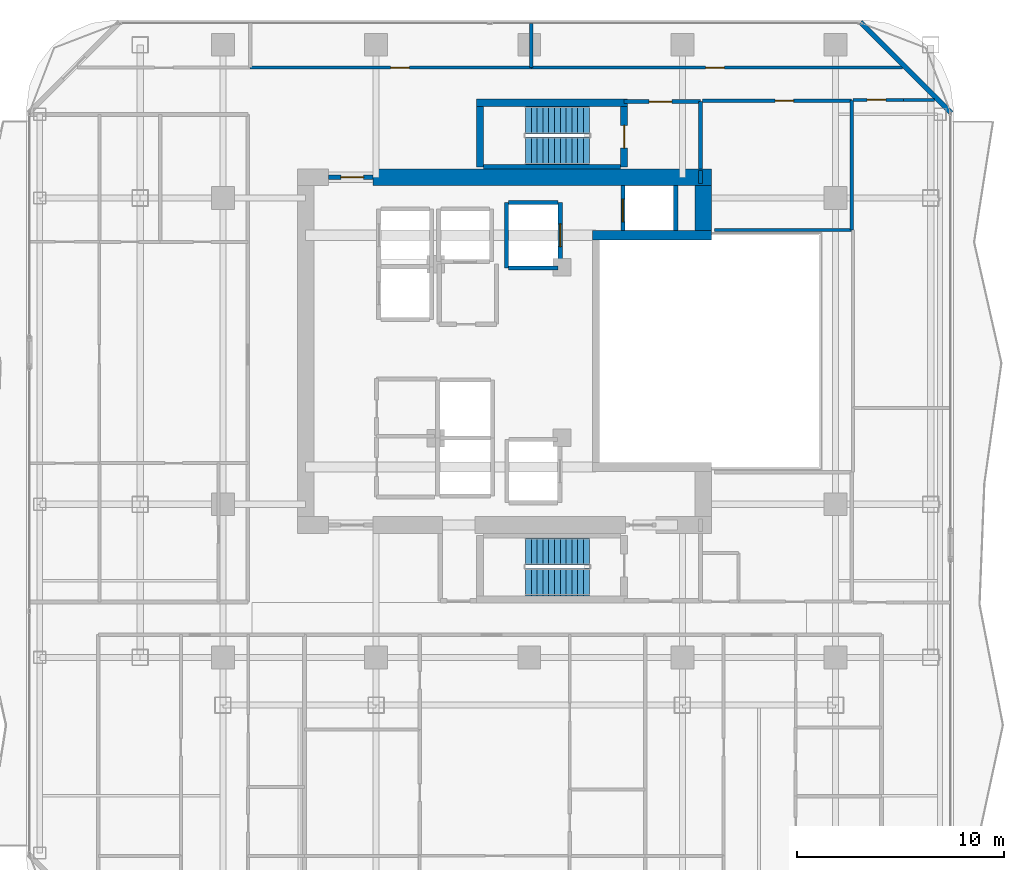
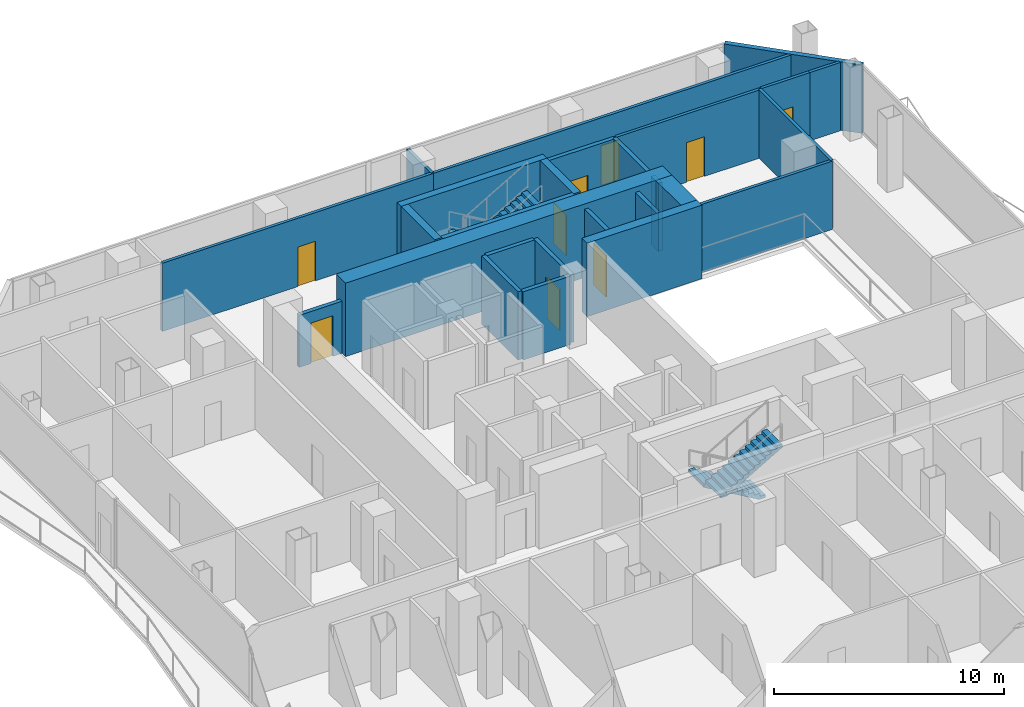
# One storey, part 20 of 23: 26 walls, 9 doors, 4 stair flights, 9 openings, 2 elements without a shape of their own.
"""IFC4 building model written with IfcOpenShell, lengths in metres."""

from ifc_helpers import new_model, si_unit, direction, frame, frame_2d, origin, place, context, subcontext, project, spatial, polyline, rectangle, outline, extrude, material, layer, layer_set, type_object, element, fill, aggregate, save


model = new_model("IFC4")

# Units and contexts
model_context = context("Model", 3, precision=1e-05, world=origin(), true_north=direction((0.0, 1.0)))
body_context = subcontext(model_context, "Body", "Model", "MODEL_VIEW")
ifc_project = project(units=[si_unit("LENGTHUNIT", "METRE"), si_unit("AREAUNIT", "SQUARE_METRE"), si_unit("VOLUMEUNIT", "CUBIC_METRE"), si_unit("PLANEANGLEUNIT", "RADIAN"), si_unit("MASSUNIT", "GRAM", prefix="KILO")], contexts=[model_context])

# Site, building, storey
site_placement = place(None, origin())
site = spatial("IfcSite", under=ifc_project, at=site_placement, CompositionType="ELEMENT")
building_placement = place(site_placement, origin())
building = spatial("IfcBuilding", under=site, at=building_placement, Name="Khorvyn Point Tower", CompositionType="ELEMENT")
storey_placement = place(building_placement, frame((0.0, 0.0, 207.0)))
storey = spatial("IfcBuildingStorey", under=building, at=storey_placement, Name="L51", CompositionType="ELEMENT", Elevation=207.0)

# Walls
ifc_material_1 = material(Name="Pale anodised aluminium rainscreen on steel stud", Category="steel")
ifc_layer_1 = layer(ifc_material_1, 0.239990234375)
ifc_layer_set_1 = layer_set([ifc_layer_1], Name="Anodised Aluminium Insulated Corner Spandrel Wall 240")
wall_type_1 = type_object("IfcWallType", Name="Anodised Aluminium Insulated Corner Spandrel Wall 240", PredefinedType="SOLIDWALL", material=ifc_layer_set_1)
wall_1_placement = place(storey_placement, frame((16.007568359375, 15.892333984375, 0.0), z_axis=(0.0, 0.0, 1.0), x_axis=(0.707106781187, -0.707106781187, 0.0)))
element("IfcWall", 1, at=wall_1_placement, inside=storey, type_object=wall_type_1, Name="L51 Rounded Corner Wall NE", PredefinedType="SOLIDWALL", context=body_context, shape_type="SweptSolid", body=[
    extrude(rectangle(XDim=6.200927734375, YDim=0.239990234375, at=frame_2d((3.1005859375, 0.0))), origin(), (0.0, 0.0, 1.0), 3.6201171875),
])
ifc_material_2 = material(Name="Concrete C40/50", Category="concrete")
ifc_layer_2 = layer(ifc_material_2, 0.449951171875)
ifc_layer_set_2 = layer_set([ifc_layer_2], Name="Concrete C40/50 Core Shear Wall 450")
wall_type_2 = type_object("IfcWallType", Name="Concrete C40/50 Core Shear Wall 450", PredefinedType="SHEAR", material=ifc_layer_set_2)
wall_2_placement = place(storey_placement, frame((3.044921875, 5.60009765625, 0.0), z_axis=(0.0, 0.0, 1.0), x_axis=(1.0, 0.0, 0.0)))
element("IfcWall", 2, at=wall_2_placement, inside=storey, type_object=wall_type_2, Name="Wall", PredefinedType="SHEAR", context=body_context, shape_type="SweptSolid", body=[
    extrude(rectangle(XDim=5.755126953125, YDim=0.449951171875, at=frame_2d((2.87744140625, 0.0))), origin(), (0.0, 0.0, 1.0), 3.89990234375),
])

# Wall, opening, door
ifc_layer_3 = layer(ifc_material_2, 0.199951171875)
ifc_layer_set_3 = layer_set([ifc_layer_3], Name="Concrete C40/50 Fire-Lobby Compartment Wall 200")
wall_type_3 = type_object("IfcWallType", Name="Concrete C40/50 Fire-Lobby Compartment Wall 200", PredefinedType="SOLIDWALL", material=ifc_layer_set_3)
wall_3_placement = place(storey_placement, frame((4.580078125, 12.06005859375, 0.0), z_axis=(0.0, 0.0, 1.0), x_axis=(1.0, 0.0, 0.0)))
wall_3 = element("IfcWall", 3, at=wall_3_placement, inside=storey, type_object=wall_type_3, Name="Wall", PredefinedType="SOLIDWALL", context=body_context, shape_type="SweptSolid", body=[
    extrude(rectangle(XDim=3.699951171875, YDim=0.199951171875, at=frame_2d((1.85009765625, 0.0))), origin(), (0.0, 0.0, 1.0), 3.6201171875),
])
opening_1_placement = place(wall_3_placement, frame((1.21240234375, 0.0, 0.0)))
opening_1 = element("IfcOpeningElement", 4, at=opening_1_placement, cuts=wall_3, Name="Opening ID-FL90", PredefinedType="OPENING", context=body_context, shape_type="SweptSolid", body=[
    extrude(rectangle(XDim=1.10009765625, YDim=2.14990234375, at=frame_2d((0.550048828125, 1.074951171875))), frame((0.0, 0.10986328125, 0.0), z_axis=(0.0, -1.0, 0.0), x_axis=(1.0, 0.0, 0.0)), (0.0, 0.0, 1.0), 0.219970703125),
])
ifc_material_3 = material(Name="Galvanised powder-coated steel", Category="steel")
door_type_1 = type_object("IfcDoorType", Name="Fire-Rated Steel Lobby and Stair Door 1100x2150", OperationType="NOTDEFINED", PredefinedType="DOOR", material=ifc_material_3)
door_1_placement = place(opening_1_placement, origin())
door_1 = element("IfcDoor", 5, at=door_1_placement, inside=storey, type_object=door_type_1, Name="Door", OperationType="SINGLE_SWING_LEFT", OverallHeight=2.14990234375, OverallWidth=1.10009765625, PredefinedType="DOOR", context=body_context, shape_type="SweptSolid", body=[
    extrude(rectangle(XDim=1.10009765625, YDim=2.14990234375, at=frame_2d((0.550048828125, 1.074951171875))), frame((0.0, 0.02490234375, 0.0), z_axis=(0.0, -1.0, 0.0), x_axis=(1.0, 0.0, 0.0)), (0.0, 0.0, 1.0), 0.050048828125),
])
fill(opening_1, door_1)

wall_4_placement = place(storey_placement, frame((-9.699951171875, 8.39990234375, 0.0), z_axis=(0.0, 0.0, 1.0), x_axis=(1.0, 0.0, 0.0)))
wall_4 = element("IfcWall", 6, at=wall_4_placement, inside=storey, type_object=wall_type_3, Name="Wall", PredefinedType="SOLIDWALL", context=body_context, shape_type="SweptSolid", body=[
    extrude(rectangle(XDim=2.14990234375, YDim=0.199951171875, at=frame_2d((1.074951171875, 0.0))), origin(), (0.0, 0.0, 1.0), 2.760009765625),
])
opening_2_placement = place(wall_4_placement, frame((0.597900390625, 0.0, 0.0)))
opening_2 = element("IfcOpeningElement", 7, at=opening_2_placement, cuts=wall_4, Name="Opening ID-FL90", PredefinedType="OPENING", context=body_context, shape_type="SweptSolid", body=[
    extrude(rectangle(XDim=1.10009765625, YDim=2.14990234375, at=frame_2d((0.550048828125, 1.074951171875))), frame((0.0, 0.10986328125, 0.0), z_axis=(0.0, -1.0, 0.0), x_axis=(1.0, 0.0, 0.0)), (0.0, 0.0, 1.0), 0.219970703125),
])
door_2_placement = place(opening_2_placement, origin())
door_2 = element("IfcDoor", 8, at=door_2_placement, inside=storey, type_object=door_type_1, Name="Door", OperationType="SINGLE_SWING_LEFT", OverallHeight=2.14990234375, OverallWidth=1.10009765625, PredefinedType="DOOR", context=body_context, shape_type="SweptSolid", body=[
    extrude(rectangle(XDim=1.10009765625, YDim=2.14990234375, at=frame_2d((0.550048828125, 1.074951171875))), frame((0.0, 0.02490234375, 0.0), z_axis=(0.0, -1.0, 0.0), x_axis=(1.0, 0.0, 0.0)), (0.0, 0.0, 1.0), 0.050048828125),
])
fill(opening_2, door_2)

# Walls
wall_5_placement = place(storey_placement, frame((8.280029296875, 8.800048828125, 0.0), z_axis=(0.0, 0.0, 1.0), x_axis=(0.0, 1.0, 0.0)))
element("IfcWall", 9, at=wall_5_placement, inside=storey, type_object=wall_type_3, Name="Wall", PredefinedType="SOLIDWALL", context=body_context, shape_type="SweptSolid", body=[
    extrude(rectangle(XDim=3.260009765625, YDim=0.199951171875, at=frame_2d((1.6298828125, 0.0))), origin(), (0.0, 0.0, 1.0), 3.6201171875),
])
wall_6_placement = place(storey_placement, frame((8.280029296875, 8.10009765625, 0.0), z_axis=(0.0, 0.0, 1.0), x_axis=(0.0, 1.0, 0.0)))
element("IfcWall", 10, at=wall_6_placement, inside=storey, type_object=wall_type_3, Name="Wall", PredefinedType="SOLIDWALL", context=body_context, shape_type="SweptSolid", body=[
    extrude(rectangle(XDim=0.625, YDim=0.199951171875, at=frame_2d((0.3125, 0.0))), origin(), (0.0, 0.0, 1.0), 3.6201171875),
])
ifc_layer_4 = layer(ifc_material_2, 0.25)
ifc_layer_set_4 = layer_set([ifc_layer_4], Name="Concrete C40/50 Stair Inner Cheek Structural Wall 250")
wall_type_4 = type_object("IfcWallType", Name="Concrete C40/50 Stair Inner Cheek Structural Wall 250", PredefinedType="SHEAR", material=ifc_layer_set_4)
wall_7_placement = place(storey_placement, frame((-2.199951171875, 8.91259765625, 0.0), z_axis=(0.0, 0.0, 1.0), x_axis=(1.0, 0.0, 0.0)))
element("IfcWall", 11, at=wall_7_placement, inside=storey, type_object=wall_type_4, Name="Wall", PredefinedType="SHEAR", context=body_context, shape_type="SweptSolid", body=[
    extrude(rectangle(XDim=6.599853515625, YDim=0.22509765625, at=frame_2d((3.2998046875, 0.0))), origin(), (0.0, 0.0, 1.0), 3.89990234375),
])
ifc_layer_5 = layer(ifc_material_2, 0.35009765625)
ifc_layer_set_5 = layer_set([ifc_layer_5], Name="Concrete C40/50 Stair Shaft Structural Wall 350")
wall_type_5 = type_object("IfcWallType", Name="Concrete C40/50 Stair Shaft Structural Wall 350", PredefinedType="SHEAR", material=ifc_layer_set_5)
wall_8_placement = place(storey_placement, frame((-2.554931640625, 12.0, 0.0), z_axis=(0.0, 0.0, 1.0), x_axis=(1.0, 0.0, 0.0)))
element("IfcWall", 12, at=wall_8_placement, inside=storey, type_object=wall_type_5, Name="L51 ST-02 North Shaft Wall", PredefinedType="SHEAR", context=body_context, shape_type="SweptSolid", body=[
    extrude(rectangle(XDim=7.309814453125, YDim=0.35009765625, at=frame_2d((3.65478515625, 0.0))), origin(), (0.0, 0.0, 1.0), 3.89990234375),
])
wall_9_placement = place(storey_placement, frame((-2.3798828125, 8.89990234375, 0.0), z_axis=(0.0, 0.0, 1.0), x_axis=(0.0, 1.0, 0.0)))
element("IfcWall", 13, at=wall_9_placement, inside=storey, type_object=wall_type_5, Name="L51 ST-02 West Shaft Wall", PredefinedType="SHEAR", context=body_context, shape_type="SweptSolid", body=[
    extrude(rectangle(XDim=2.925048828125, YDim=0.35009765625, at=frame_2d((1.46240234375, 0.0))), origin(), (0.0, 0.0, 1.0), 3.89990234375),
])

# Wall, opening, door
wall_10_placement = place(storey_placement, frame((4.580078125, 11.824951171875, 0.0), z_axis=(0.0, 0.0, 1.0), x_axis=(0.0, -1.0, 0.0)))
wall_10 = element("IfcWall", 14, at=wall_10_placement, inside=storey, type_object=wall_type_5, Name="L51 ST-02 East Landing Door Wall", PredefinedType="SHEAR", context=body_context, shape_type="SweptSolid", body=[
    extrude(rectangle(XDim=2.925048828125, YDim=0.35009765625, at=frame_2d((1.46240234375, 0.0))), origin(), (0.0, 0.0, 1.0), 3.89990234375),
])
opening_3_placement = place(wall_10_placement, frame((0.91259765625, 0.0, 0.0)))
opening_3 = element("IfcOpeningElement", 15, at=opening_3_placement, cuts=wall_10, Name="Opening ID-FL90", PredefinedType="OPENING", context=body_context, shape_type="SweptSolid", body=[
    extrude(rectangle(XDim=1.10009765625, YDim=2.14990234375, at=frame_2d((0.550048828125, 1.074951171875))), frame((0.0, 0.18505859375, 0.0), z_axis=(0.0, -1.0, 0.0), x_axis=(1.0, 0.0, 0.0)), (0.0, 0.0, 1.0), 0.3701171875),
])
door_3_placement = place(opening_3_placement, origin())
door_3 = element("IfcDoor", 16, at=door_3_placement, inside=storey, type_object=door_type_1, Name="L51 ST-02 Smokeproof Landing Door", OperationType="SINGLE_SWING_RIGHT", OverallHeight=2.14990234375, OverallWidth=1.10009765625, PredefinedType="DOOR", context=body_context, shape_type="SweptSolid", body=[
    extrude(rectangle(XDim=1.10009765625, YDim=2.14990234375, at=frame_2d((0.550048828125, 1.074951171875))), frame((0.0, 0.02490234375, 0.0), z_axis=(0.0, -1.0, 0.0), x_axis=(1.0, 0.0, 0.0)), (0.0, 0.0, 1.0), 0.050048828125),
])
fill(opening_3, door_3)

# Wall
ifc_layer_6 = layer(ifc_material_2, 0.199951171875)
ifc_layer_set_6 = layer_set([ifc_layer_6], Name="Concrete C40/50 Structural Hoistway and Stair Shaft Wall 200")
wall_type_6 = type_object("IfcWallType", Name="Concrete C40/50 Structural Hoistway and Stair Shaft Wall 200", PredefinedType="SHEAR", material=ifc_layer_set_6)
wall_11_placement = place(storey_placement, frame((-1.10009765625, 4.02490234375, 0.0), z_axis=(0.0, 0.0, 1.0), x_axis=(0.0, 1.0, 0.0)))
element("IfcWall", 17, at=wall_11_placement, inside=storey, type_object=wall_type_6, Name="Wall", PredefinedType="SHEAR", context=body_context, shape_type="SweptSolid", body=[
    extrude(rectangle(XDim=3.150146484375, YDim=0.199951171875, at=frame_2d((1.5751953125, 0.0))), origin(), (0.0, 0.0, 1.0), 3.6201171875),
])

# Wall, opening, door
wall_12_placement = place(storey_placement, frame((1.5, 4.02490234375, 0.0), z_axis=(0.0, 0.0, 1.0), x_axis=(0.0, 1.0, 0.0)))
wall_12 = element("IfcWall", 18, at=wall_12_placement, inside=storey, type_object=wall_type_6, Name="Wall", PredefinedType="SHEAR", context=body_context, shape_type="SweptSolid", body=[
    extrude(rectangle(XDim=3.150146484375, YDim=0.199951171875, at=frame_2d((1.5751953125, 0.0))), origin(), (0.0, 0.0, 1.0), 3.6201171875),
])
opening_4_placement = place(wall_12_placement, frame((1.02490234375, 0.0, 0.0)))
opening_4 = element("IfcOpeningElement", 19, at=opening_4_placement, cuts=wall_12, Name="Opening LD-1122", PredefinedType="OPENING", context=body_context, shape_type="SweptSolid", body=[
    extrude(rectangle(XDim=1.10009765625, YDim=2.199951171875, at=frame_2d((0.550048828125, 1.10009765625))), frame((0.0, 0.10986328125, 0.0), z_axis=(0.0, -1.0, 0.0), x_axis=(1.0, 0.0, 0.0)), (0.0, 0.0, 1.0), 0.219970703125),
])
ifc_material_4 = material(Name="Stainless steel 1.4301", Category="steel")
door_type_2 = type_object("IfcDoorType", Name="Stainless Steel Automatic Sliding Lift Landing Door 1100x2200", OperationType="SLIDING_TO_LEFT", PredefinedType="DOOR", material=ifc_material_4)
door_4_placement = place(opening_4_placement, origin())
door_4 = element("IfcDoor", 20, at=door_4_placement, inside=storey, type_object=door_type_2, Name="L51 SV-01 Sliding Lift Landing Door", OperationType="SLIDING_TO_LEFT", OverallHeight=2.199951171875, OverallWidth=1.10009765625, PredefinedType="DOOR", context=body_context, shape_type="SweptSolid", body=[
    extrude(rectangle(XDim=1.10009765625, YDim=2.199951171875, at=frame_2d((0.550048828125, 1.10009765625))), frame((0.0, 0.02490234375, 0.0), z_axis=(0.0, -1.0, 0.0), x_axis=(1.0, 0.0, 0.0)), (0.0, 0.0, 1.0), 0.050048828125),
])
fill(opening_4, door_4)

# Walls
for number, where, z_axis, x_axis, name in (
    (21, (-1.0, 4.02490234375, 0.0), (0.0, 0.0, 1.0), (1.0, 0.0, 0.0), "Wall"),
    (22, (-1.0, 7.175048828125, 0.0), (0.0, 0.0, 1.0), (1.0, 0.0, 0.0), "Wall"),
):
    element("IfcWall", number, at=place(storey_placement, frame(where, z_axis=z_axis, x_axis=x_axis)), inside=storey, type_object=wall_type_6, Name=name, PredefinedType="SHEAR", context=body_context, shape_type="SweptSolid", body=[
        extrude(rectangle(XDim=2.39990234375, YDim=0.199951171875, at=frame_2d((1.199951171875, 0.0))), origin(), (0.0, 0.0, 1.0), 3.6201171875),
    ])

# Wall, opening, door
wall_13_placement = place(storey_placement, frame((4.52490234375, 5.824951171875, 0.0), z_axis=(0.0, 0.0, 1.0), x_axis=(0.0, 1.0, 0.0)))
wall_13 = element("IfcWall", 23, at=wall_13_placement, inside=storey, type_object=wall_type_6, Name="Wall", PredefinedType="SHEAR", context=body_context, shape_type="SweptSolid", body=[
    extrude(rectangle(XDim=2.175048828125, YDim=0.199951171875, at=frame_2d((1.08740234375, 0.0))), origin(), (0.0, 0.0, 1.0), 3.6201171875),
])
opening_5_placement = place(wall_13_placement, frame((0.425048828125, 0.0, 0.0)))
opening_5 = element("IfcOpeningElement", 24, at=opening_5_placement, cuts=wall_13, Name="Opening LD-1122", PredefinedType="OPENING", context=body_context, shape_type="SweptSolid", body=[
    extrude(rectangle(XDim=1.10009765625, YDim=2.199951171875, at=frame_2d((0.550048828125, 1.10009765625))), frame((0.0, 0.10986328125, 0.0), z_axis=(0.0, -1.0, 0.0), x_axis=(1.0, 0.0, 0.0)), (0.0, 0.0, 1.0), 0.219970703125),
])
door_5_placement = place(opening_5_placement, origin())
door_5 = element("IfcDoor", 25, at=door_5_placement, inside=storey, type_object=door_type_2, Name="L51 FF-02 Sliding Lift Landing Door", OperationType="SLIDING_TO_LEFT", OverallHeight=2.199951171875, OverallWidth=1.10009765625, PredefinedType="DOOR", context=body_context, shape_type="SweptSolid", body=[
    extrude(rectangle(XDim=1.10009765625, YDim=2.199951171875, at=frame_2d((0.550048828125, 1.10009765625))), frame((0.0, 0.02490234375, 0.0), z_axis=(0.0, -1.0, 0.0), x_axis=(1.0, 0.0, 0.0)), (0.0, 0.0, 1.0), 0.050048828125),
])
fill(opening_5, door_5)

# Walls
wall_14_placement = place(storey_placement, frame((7.074951171875, 5.824951171875, 0.0), z_axis=(0.0, 0.0, 1.0), x_axis=(0.0, 1.0, 0.0)))
element("IfcWall", 26, at=wall_14_placement, inside=storey, type_object=wall_type_6, Name="Wall", PredefinedType="SHEAR", context=body_context, shape_type="SweptSolid", body=[
    extrude(rectangle(XDim=2.175048828125, YDim=0.199951171875, at=frame_2d((1.08740234375, 0.0))), origin(), (0.0, 0.0, 1.0), 3.6201171875),
])
ifc_material_5 = material(Name="Concrete C45/55", Category="concrete")
ifc_layer_7 = layer(ifc_material_5, 0.800048828125)
ifc_layer_set_7 = layer_set([ifc_layer_7], Name="Concrete C45/55 Core Shear Wall 800")
wall_type_7 = type_object("IfcWallType", Name="Concrete C45/55 Core Shear Wall 800", PredefinedType="SHEAR", material=ifc_layer_set_7)
wall_15_placement = place(storey_placement, frame((-7.550048828125, 8.39990234375, 0.0), z_axis=(0.0, 0.0, 1.0), x_axis=(1.0, 0.0, 0.0)))
element("IfcWall", 27, at=wall_15_placement, inside=storey, type_object=wall_type_7, Name="Wall", PredefinedType="SHEAR", context=body_context, shape_type="SweptSolid", body=[
    extrude(rectangle(XDim=16.35009765625, YDim=0.800048828125, at=frame_2d((8.175048828125, 0.0))), origin(), (0.0, 0.0, 1.0), 3.89990234375),
])
wall_16_placement = place(storey_placement, frame((8.39990234375, 5.824951171875, 0.0), z_axis=(0.0, 0.0, 1.0), x_axis=(0.0, 1.0, 0.0)))
element("IfcWall", 28, at=wall_16_placement, inside=storey, type_object=wall_type_7, Name="Wall", PredefinedType="SHEAR", context=body_context, shape_type="SweptSolid", body=[
    extrude(rectangle(XDim=2.175048828125, YDim=0.800048828125, at=frame_2d((1.08740234375, 0.0))), origin(), (0.0, 0.0, 1.0), 3.89990234375),
])

# Wall, opening, door
ifc_material_6 = material(Name="Moisture-resistant gypsum and cement board", Category="gypsum")
ifc_layer_8 = layer(ifc_material_6, 0.14990234375)
ifc_layer_set_8 = layer_set([ifc_layer_8], Name="Moisture-Resistant Wet-Room Partition Wall 150")
wall_type_8 = type_object("IfcWallType", Name="Moisture-Resistant Wet-Room Partition Wall 150", PredefinedType="PARTITIONING", material=ifc_layer_set_8)
wall_17_placement = place(storey_placement, frame((8.360107421875, 12.10009765625, 0.0), z_axis=(0.0, 0.0, 1.0), x_axis=(1.0, 0.0, 0.0)))
wall_17 = element("IfcWall", 29, at=wall_17_placement, inside=storey, type_object=wall_type_8, Name="Wall", PredefinedType="PARTITIONING", context=body_context, shape_type="SweptSolid", body=[
    extrude(rectangle(XDim=7.219970703125, YDim=0.14990234375, at=frame_2d((3.60986328125, 0.0))), origin(), (0.0, 0.0, 1.0), 3.6201171875),
])
opening_6_placement = place(wall_17_placement, frame((3.512939453125, 0.0, 0.0)))
opening_6 = element("IfcOpeningElement", 30, at=opening_6_placement, cuts=wall_17, Name="Opening ID-RM90", PredefinedType="OPENING", context=body_context, shape_type="SweptSolid", body=[
    extrude(rectangle(XDim=0.89990234375, YDim=2.10009765625, at=frame_2d((0.449951171875, 1.050048828125))), frame((0.0, 0.0849609375, 0.0), z_axis=(0.0, -1.0, 0.0), x_axis=(1.0, 0.0, 0.0)), (0.0, 0.0, 1.0), 0.169921875),
])
ifc_material_7 = material(Name="Engineered oak veneer timber", Category="wood")
door_type_3 = type_object("IfcDoorType", Name="Flush Engineered Timber Room Door 900x2100", OperationType="NOTDEFINED", PredefinedType="DOOR", material=ifc_material_7)
door_6_placement = place(opening_6_placement, origin())
door_6 = element("IfcDoor", 31, at=door_6_placement, inside=storey, type_object=door_type_3, Name="Door", OperationType="SINGLE_SWING_RIGHT", OverallHeight=2.10009765625, OverallWidth=0.89990234375, PredefinedType="DOOR", context=body_context, shape_type="SweptSolid", body=[
    extrude(rectangle(XDim=0.89990234375, YDim=2.10009765625, at=frame_2d((0.449951171875, 1.050048828125))), frame((0.0, 0.02490234375, 0.0), z_axis=(0.0, -1.0, 0.0), x_axis=(1.0, 0.0, 0.0)), (0.0, 0.0, 1.0), 0.050048828125),
])
fill(opening_6, door_6)

wall_18_placement = place(storey_placement, frame((-13.48291015625, 13.699951171875, 0.0), z_axis=(0.0, 0.0, 1.0), x_axis=(1.0, 0.0, 0.0)))
wall_18 = element("IfcWall", 32, at=wall_18_placement, inside=storey, type_object=wall_type_8, Name="Wall", PredefinedType="PARTITIONING", context=body_context, shape_type="SweptSolid", body=[
    extrude(rectangle(XDim=13.579833984375, YDim=0.14990234375, at=frame_2d((6.7900390625, 0.0))), origin(), (0.0, 0.0, 1.0), 3.6201171875),
])
opening_7_placement = place(wall_18_placement, frame((6.787841796875, 0.0, 0.0)))
opening_7 = element("IfcOpeningElement", 33, at=opening_7_placement, cuts=wall_18, Name="Opening ID-RM90", PredefinedType="OPENING", context=body_context, shape_type="SweptSolid", body=[
    extrude(rectangle(XDim=0.89990234375, YDim=2.10009765625, at=frame_2d((0.449951171875, 1.050048828125))), frame((0.0, 0.0849609375, 0.0), z_axis=(0.0, -1.0, 0.0), x_axis=(1.0, 0.0, 0.0)), (0.0, 0.0, 1.0), 0.169921875),
])
door_7_placement = place(opening_7_placement, origin())
door_7 = element("IfcDoor", 34, at=door_7_placement, inside=storey, type_object=door_type_3, Name="Door", OperationType="SINGLE_SWING_RIGHT", OverallHeight=2.10009765625, OverallWidth=0.89990234375, PredefinedType="DOOR", context=body_context, shape_type="SweptSolid", body=[
    extrude(rectangle(XDim=0.89990234375, YDim=2.10009765625, at=frame_2d((0.449951171875, 1.050048828125))), frame((0.0, 0.02490234375, 0.0), z_axis=(0.0, -1.0, 0.0), x_axis=(1.0, 0.0, 0.0)), (0.0, 0.0, 1.0), 0.050048828125),
])
fill(opening_7, door_7)

wall_19_placement = place(storey_placement, frame((0.096923828125, 13.699951171875, 0.0), z_axis=(0.0, 0.0, 1.0), x_axis=(1.0, 0.0, 0.0)))
wall_19 = element("IfcWall", 35, at=wall_19_placement, inside=storey, type_object=wall_type_8, Name="Wall", PredefinedType="PARTITIONING", context=body_context, shape_type="SweptSolid", body=[
    extrude(rectangle(XDim=17.93310546875, YDim=0.14990234375, at=frame_2d((8.966552734375, 0.0))), origin(), (0.0, 0.0, 1.0), 3.6201171875),
])
opening_8_placement = place(wall_19_placement, frame((8.426513671875, 0.0, 0.0)))
opening_8 = element("IfcOpeningElement", 36, at=opening_8_placement, cuts=wall_19, Name="Opening ID-RM90", PredefinedType="OPENING", context=body_context, shape_type="SweptSolid", body=[
    extrude(rectangle(XDim=0.89990234375, YDim=2.10009765625, at=frame_2d((0.449951171875, 1.050048828125))), frame((0.0, 0.0849609375, 0.0), z_axis=(0.0, -1.0, 0.0), x_axis=(1.0, 0.0, 0.0)), (0.0, 0.0, 1.0), 0.169921875),
])
door_8_placement = place(opening_8_placement, origin())
door_8 = element("IfcDoor", 37, at=door_8_placement, inside=storey, type_object=door_type_3, Name="Door", OperationType="SINGLE_SWING_LEFT", OverallHeight=2.10009765625, OverallWidth=0.89990234375, PredefinedType="DOOR", context=body_context, shape_type="SweptSolid", body=[
    extrude(rectangle(XDim=0.89990234375, YDim=2.10009765625, at=frame_2d((0.449951171875, 1.050048828125))), frame((0.0, 0.02490234375, 0.0), z_axis=(0.0, -1.0, 0.0), x_axis=(1.0, 0.0, 0.0)), (0.0, 0.0, 1.0), 0.050048828125),
])
fill(opening_8, door_8)

wall_20_placement = place(storey_placement, frame((15.64990234375, 12.139892578125, 0.0), z_axis=(0.0, 0.0, 1.0), x_axis=(1.0, 0.0, 0.0)))
wall_20 = element("IfcWall", 38, at=wall_20_placement, inside=storey, type_object=wall_type_8, Name="Wall", PredefinedType="PARTITIONING", context=body_context, shape_type="SweptSolid", body=[
    extrude(rectangle(XDim=2.420166015625, YDim=0.14990234375, at=frame_2d((1.2099609375, 0.0))), origin(), (0.0, 0.0, 1.0), 3.6201171875),
])
opening_9_placement = place(wall_20_placement, frame((0.67431640625, 0.0, 0.0)))
opening_9 = element("IfcOpeningElement", 39, at=opening_9_placement, cuts=wall_20, Name="Opening ID-RM90", PredefinedType="OPENING", context=body_context, shape_type="SweptSolid", body=[
    extrude(rectangle(XDim=0.89990234375, YDim=2.10009765625, at=frame_2d((0.449951171875, 1.050048828125))), frame((0.0, 0.0849609375, 0.0), z_axis=(0.0, -1.0, 0.0), x_axis=(1.0, 0.0, 0.0)), (0.0, 0.0, 1.0), 0.169921875),
])
door_9_placement = place(opening_9_placement, origin())
door_9 = element("IfcDoor", 40, at=door_9_placement, inside=storey, type_object=door_type_3, Name="Door", OperationType="SINGLE_SWING_RIGHT", OverallHeight=2.10009765625, OverallWidth=0.89990234375, PredefinedType="DOOR", context=body_context, shape_type="SweptSolid", body=[
    extrude(rectangle(XDim=0.89990234375, YDim=2.10009765625, at=frame_2d((0.449951171875, 1.050048828125))), frame((0.0, 0.02490234375, 0.0), z_axis=(0.0, -1.0, 0.0), x_axis=(1.0, 0.0, 0.0)), (0.0, 0.0, 1.0), 0.050048828125),
])
fill(opening_9, door_9)

# Walls
wall_21_placement = place(storey_placement, frame((15.580078125, 5.85009765625, 0.0), z_axis=(0.0, 0.0, 1.0), x_axis=(0.0, 1.0, 0.0)))
element("IfcWall", 41, at=wall_21_placement, inside=storey, type_object=wall_type_8, Name="Wall", PredefinedType="PARTITIONING", context=body_context, shape_type="SweptSolid", body=[
    extrude(rectangle(XDim=6.25, YDim=0.14990234375, at=frame_2d((3.125, 0.0))), origin(), (0.0, 0.0, 1.0), 3.6201171875),
])
wall_22_placement = place(storey_placement, frame((8.9599609375, 5.85009765625, 0.0), z_axis=(0.0, 0.0, 1.0), x_axis=(1.0, 0.0, 0.0)))
element("IfcWall", 42, at=wall_22_placement, inside=storey, type_object=wall_type_8, Name="Wall", PredefinedType="PARTITIONING", context=body_context, shape_type="SweptSolid", body=[
    extrude(rectangle(XDim=6.6201171875, YDim=0.14990234375, at=frame_2d((3.31005859375, 0.0))), origin(), (0.0, 0.0, 1.0), 3.6201171875),
])
wall_23_placement = place(storey_placement, frame((0.096923828125, 13.699951171875, 0.0), z_axis=(0.0, 0.0, 1.0), x_axis=(0.0, 1.0, 0.0)))
element("IfcWall", 43, at=wall_23_placement, inside=storey, type_object=wall_type_8, Name="Wall", PredefinedType="PARTITIONING", context=body_context, shape_type="SweptSolid", body=[
    extrude(rectangle(XDim=2.130126953125, YDim=0.14990234375, at=frame_2d((1.06494140625, 0.0))), origin(), (0.0, 0.0, 1.0), 3.6201171875),
])
wall_24_placement = place(storey_placement, frame((18.070068359375, 12.139892578125, 0.0), z_axis=(0.0, 0.0, 1.0), x_axis=(1.0, 0.0, 0.0)))
element("IfcWall", 44, at=wall_24_placement, inside=storey, type_object=wall_type_8, Name="Wall", PredefinedType="PARTITIONING", context=body_context, shape_type="SweptSolid", body=[
    extrude(rectangle(XDim=1.52001953125, YDim=0.14990234375, at=frame_2d((0.760009765625, 0.0))), origin(), (0.0, 0.0, 1.0), 3.6201171875),
])

# Stair, stair flights
stair_type = type_object("IfcStairType", Name="Tower Concrete C40/50 Dogleg Exit Stair", PredefinedType="HALF_TURN_STAIR", material=ifc_material_2)
stair_1_placement = place(storey_placement, origin())
stair_1 = element("IfcStair", 45, at=stair_1_placement, inside=storey, type_object=stair_type, Name="L51 Tower Smokeproof Exit Stair South", PredefinedType="HALF_TURN_STAIR")
stair_flight_type = type_object("IfcStairFlightType", Name="Tower Concrete C40/50 Stair Flight", PredefinedType="STRAIGHT", material=ifc_material_2)
stair_flight_1_placement = place(storey_placement, frame((2.89990234375, -9.679931640625, 0.0), z_axis=(0.0, 0.0, 1.0), x_axis=(-1.0, 0.0, 0.0)))
stair_flight_1 = element("IfcStairFlight", 46, at=stair_flight_1_placement, type_object=stair_flight_type, Name="ST-01 flight 1", NumberOfRisers=12, NumberOfTreads=11, PredefinedType="STRAIGHT", RiserHeight=0.1625, TreadLength=0.28, context=body_context, shape_type="SweptSolid", body=[
    extrude(outline(polyline([(0.0, 0.0), (0.0, 0.16259765625), (0.280029296875, 0.16259765625), (0.280029296875, 0.324951171875), (0.56005859375, 0.324951171875), (0.56005859375, 0.487548828125), (0.840087890625, 0.487548828125), (0.840087890625, 0.64990234375), (1.1201171875, 0.64990234375), (1.1201171875, 0.8125), (1.39990234375, 0.8125), (1.39990234375, 0.97509765625), (1.679931640625, 0.97509765625), (1.679931640625, 1.137451171875), (1.9599609375, 1.137451171875), (1.9599609375, 1.300048828125), (2.239990234375, 1.300048828125), (2.239990234375, 1.46240234375), (2.52001953125, 1.46240234375), (2.52001953125, 1.625), (2.800048828125, 1.625), (2.800048828125, 1.78759765625), (3.080078125, 1.78759765625), (3.080078125, 1.949951171875), (3.080078125, 1.6142578125), (0.298583984375, 0.0), (0.0, 0.0)])), frame((0.0, 0.66015625, 0.0), z_axis=(0.0, -1.0, 0.0), x_axis=(1.0, 0.0, 0.0)), (0.0, 0.0, 1.0), 1.320068359375),
])
stair_flight_2_placement = place(storey_placement, frame((-0.179931640625, -11.159912109375, 1.949951171875), z_axis=(0.0, 0.0, 1.0), x_axis=(1.0, 0.0, 0.0)))
stair_flight_2 = element("IfcStairFlight", 47, at=stair_flight_2_placement, type_object=stair_flight_type, Name="ST-01 flight 2", NumberOfRisers=12, NumberOfTreads=11, PredefinedType="STRAIGHT", RiserHeight=0.1625, TreadLength=0.28, context=body_context, shape_type="SweptSolid", body=[
    extrude(outline(polyline([(0.0, 0.0), (0.0, 0.16259765625), (0.280029296875, 0.16259765625), (0.280029296875, 0.324951171875), (0.56005859375, 0.324951171875), (0.56005859375, 0.487548828125), (0.840087890625, 0.487548828125), (0.840087890625, 0.64990234375), (1.1201171875, 0.64990234375), (1.1201171875, 0.8125), (1.39990234375, 0.8125), (1.39990234375, 0.97509765625), (1.679931640625, 0.97509765625), (1.679931640625, 1.137451171875), (1.9599609375, 1.137451171875), (1.9599609375, 1.300048828125), (2.239990234375, 1.300048828125), (2.239990234375, 1.46240234375), (2.52001953125, 1.46240234375), (2.52001953125, 1.625), (2.800048828125, 1.625), (2.800048828125, 1.78759765625), (3.080078125, 1.78759765625), (3.080078125, 1.949951171875), (3.080078125, 1.6142578125), (0.298583984375, 0.0), (0.0, 0.0)])), frame((0.0, 0.66015625, 0.0), z_axis=(0.0, -1.0, 0.0), x_axis=(1.0, 0.0, 0.0)), (0.0, 0.0, 1.0), 1.320068359375),
])
aggregate(stair_1, [stair_flight_1, stair_flight_2])

stair_2_placement = place(storey_placement, origin())
stair_2 = element("IfcStair", 48, at=stair_2_placement, inside=storey, type_object=stair_type, Name="L51 Tower Smokeproof Exit Stair North", PredefinedType="HALF_TURN_STAIR")
stair_flight_3_placement = place(storey_placement, frame((2.89990234375, 11.159912109375, 0.0), z_axis=(0.0, 0.0, 1.0), x_axis=(-1.0, 0.0, 0.0)))
stair_flight_3 = element("IfcStairFlight", 49, at=stair_flight_3_placement, type_object=stair_flight_type, Name="ST-02 flight 1", NumberOfRisers=12, NumberOfTreads=11, PredefinedType="STRAIGHT", RiserHeight=0.1625, TreadLength=0.28, context=body_context, shape_type="SweptSolid", body=[
    extrude(outline(polyline([(0.0, 0.0), (0.0, 0.16259765625), (0.280029296875, 0.16259765625), (0.280029296875, 0.324951171875), (0.56005859375, 0.324951171875), (0.56005859375, 0.487548828125), (0.840087890625, 0.487548828125), (0.840087890625, 0.64990234375), (1.1201171875, 0.64990234375), (1.1201171875, 0.8125), (1.39990234375, 0.8125), (1.39990234375, 0.97509765625), (1.679931640625, 0.97509765625), (1.679931640625, 1.137451171875), (1.9599609375, 1.137451171875), (1.9599609375, 1.300048828125), (2.239990234375, 1.300048828125), (2.239990234375, 1.46240234375), (2.52001953125, 1.46240234375), (2.52001953125, 1.625), (2.800048828125, 1.625), (2.800048828125, 1.78759765625), (3.080078125, 1.78759765625), (3.080078125, 1.949951171875), (3.080078125, 1.6142578125), (0.298583984375, 0.0), (0.0, 0.0)])), frame((0.0, 0.66015625, 0.0), z_axis=(0.0, -1.0, 0.0), x_axis=(1.0, 0.0, 0.0)), (0.0, 0.0, 1.0), 1.320068359375),
])
stair_flight_4_placement = place(storey_placement, frame((-0.179931640625, 9.679931640625, 1.949951171875), z_axis=(0.0, 0.0, 1.0), x_axis=(1.0, 0.0, 0.0)))
stair_flight_4 = element("IfcStairFlight", 50, at=stair_flight_4_placement, type_object=stair_flight_type, Name="ST-02 flight 2", NumberOfRisers=12, NumberOfTreads=11, PredefinedType="STRAIGHT", RiserHeight=0.1625, TreadLength=0.28, context=body_context, shape_type="SweptSolid", body=[
    extrude(outline(polyline([(0.0, 0.0), (0.0, 0.16259765625), (0.280029296875, 0.16259765625), (0.280029296875, 0.324951171875), (0.56005859375, 0.324951171875), (0.56005859375, 0.487548828125), (0.840087890625, 0.487548828125), (0.840087890625, 0.64990234375), (1.1201171875, 0.64990234375), (1.1201171875, 0.8125), (1.39990234375, 0.8125), (1.39990234375, 0.97509765625), (1.679931640625, 0.97509765625), (1.679931640625, 1.137451171875), (1.9599609375, 1.137451171875), (1.9599609375, 1.300048828125), (2.239990234375, 1.300048828125), (2.239990234375, 1.46240234375), (2.52001953125, 1.46240234375), (2.52001953125, 1.625), (2.800048828125, 1.625), (2.800048828125, 1.78759765625), (3.080078125, 1.78759765625), (3.080078125, 1.949951171875), (3.080078125, 1.6142578125), (0.298583984375, 0.0), (0.0, 0.0)])), frame((0.0, 0.66015625, 0.0), z_axis=(0.0, -1.0, 0.0), x_axis=(1.0, 0.0, 0.0)), (0.0, 0.0, 1.0), 1.320068359375),
])
aggregate(stair_2, [stair_flight_3, stair_flight_4])

save(model, "model.ifc")
